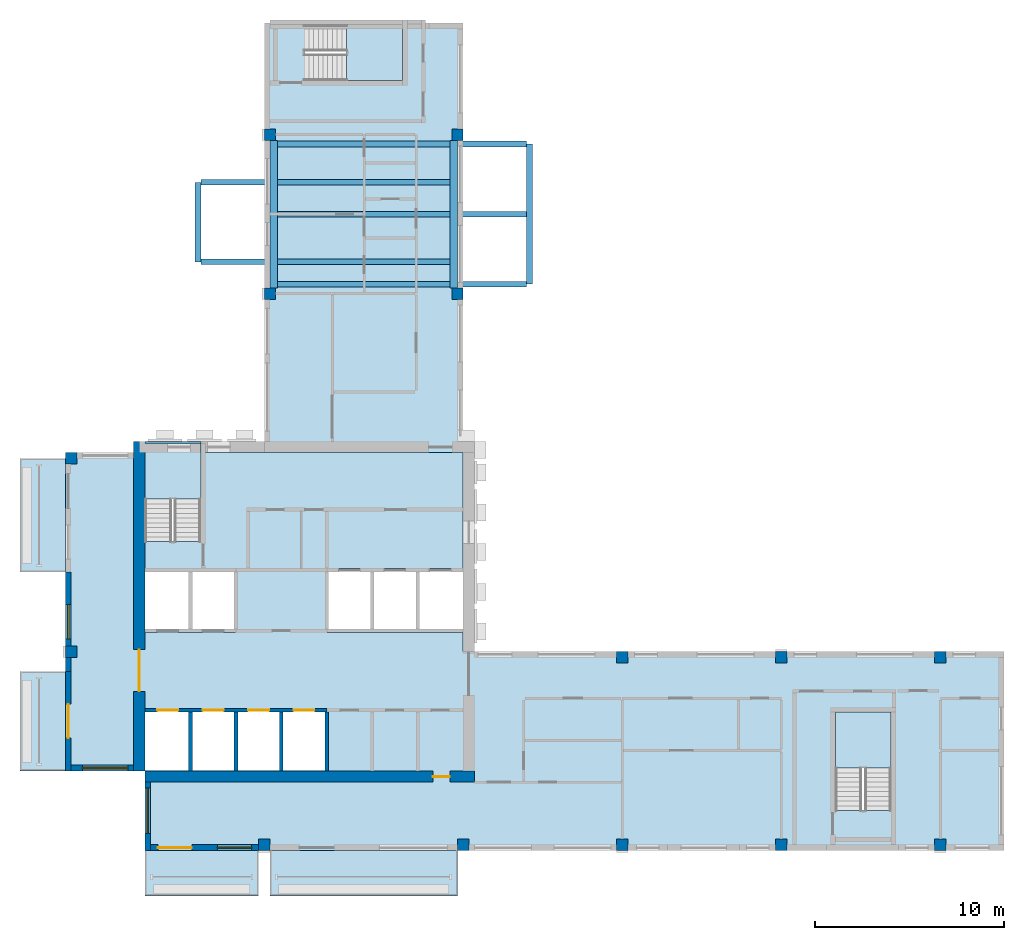
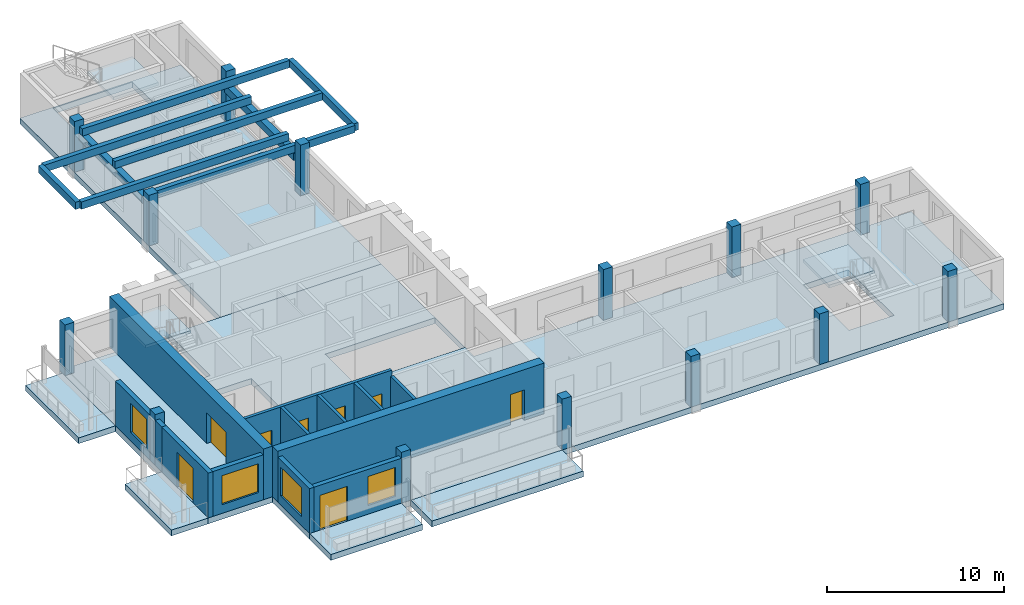
# One storey, part 1 of 10: 14 columns, 13 walls, 10 slabs, 9 beams, 8 doors, 4 windows, 12 openings, 3 elements without a shape of their own.
"""IFC4 building model written with IfcOpenShell, lengths in metres."""

from ifc_helpers import new_model, si_unit, direction, frame, frame_2d, origin, origin_2d, place, context, subcontext, project, spatial, polyline, rectangle, outline, extrude, source, transform, mapped, material, layer, layer_set, material_profile, profile_set, type_object, element, fill, aggregate, save


model = new_model("IFC4")

# Units and contexts
model_context = context("Model", 3, precision=1e-05, world=origin(), true_north=direction((0.0, 1.0)))
body_context = subcontext(model_context, "Body", "Model", "MODEL_VIEW")
ifc_project = project(units=[si_unit("LENGTHUNIT", "METRE"), si_unit("AREAUNIT", "SQUARE_METRE"), si_unit("VOLUMEUNIT", "CUBIC_METRE"), si_unit("PLANEANGLEUNIT", "RADIAN"), si_unit("MASSUNIT", "GRAM", prefix="KILO")], contexts=[model_context])

# Site, building, storey
site_placement = place(None, origin())
site = spatial("IfcSite", under=ifc_project, at=site_placement, CompositionType="ELEMENT")
building_placement = place(site_placement, origin())
building = spatial("IfcBuilding", under=site, at=building_placement, Name="Aurelian Terraces", CompositionType="ELEMENT")
storey_placement = place(building_placement, frame((0.0, 0.0, 326.5)))
storey = spatial("IfcBuildingStorey", under=building, at=storey_placement, Name="L76", CompositionType="ELEMENT", Elevation=326.5)

# Columns
ifc_material_1 = material(Name="Concrete fc' 55 MPa", Category="concrete")
ifc_material_profile_1 = material_profile(ifc_material_1, rectangle(XDim=0.6, YDim=0.6, at=origin_2d()))
ifc_profile_set_1 = profile_set([ifc_material_profile_1], Name="Concrete fc' 55 MPa")
column_type = type_object("IfcColumnType", Name="RC COLUMN 600X600 FC55", PredefinedType="COLUMN", material=ifc_profile_set_1)
column_placement = place(storey_placement, frame((10.5, 0.3, 0.0), z_axis=(0.0, 0.0, 1.0), x_axis=(1.0, 0.0, 0.0)))
element("IfcColumn", 1, at=column_placement, inside=storey, type_object=column_type, Name="Column 2/A L76", PredefinedType="COLUMN", context=body_context, shape_type="SweptSolid", body=[
    extrude(rectangle(XDim=0.6, YDim=0.6, at=origin_2d()), origin(), (0.0, 0.0, 1.0), 3.5),
])
shared_shape_1 = source(origin(), body_context, "Body", "SweptSolid", [
    extrude(rectangle(XDim=0.6, YDim=0.6, at=origin_2d()), origin(), (0.0, 0.0, 1.0), 3.5),
])
for number, where, z_axis, x_axis, name in (
    (2, (21.0, 0.3, 0.0), (0.0, 0.0, 1.0), (1.0, 0.0, 0.0), "Column 3/A L76"),
    (3, (29.4, 0.3, 0.0), (0.0, 0.0, 1.0), (1.0, 0.0, 0.0), "Column 4/A L76"),
    (4, (37.8, 0.3, 0.0), (0.0, 0.0, 1.0), (1.0, 0.0, 0.0), "Column 5/A L76"),
    (5, (46.2, 0.3, 0.0), (0.0, 0.0, 1.0), (1.0, 0.0, 0.0), "Column 6/A L76"),
    (6, (0.3, 10.5, 0.0), (0.0, 0.0, 1.0), (1.0, 0.0, 0.0), "Column 1/B L76"),
    (7, (29.4, 10.2, 0.0), (0.0, 0.0, 1.0), (1.0, 0.0, 0.0), "Column 4/B L76"),
    (8, (37.8, 10.2, 0.0), (0.0, 0.0, 1.0), (1.0, 0.0, 0.0), "Column 5/B L76"),
    (9, (46.2, 10.2, 0.0), (0.0, 0.0, 1.0), (1.0, 0.0, 0.0), "Column 6/B L76"),
    (10, (0.3, 20.7, 0.0), (0.0, 0.0, 1.0), (1.0, 0.0, 0.0), "Column 1/C L76"),
    (11, (10.8, 29.4, 0.0), (0.0, 0.0, 1.0), (1.0, 0.0, 0.0), "Column 2/D L76"),
    (12, (20.7, 29.4, 0.0), (0.0, 0.0, 1.0), (1.0, 0.0, 0.0), "Column 3/D L76"),
    (13, (10.8, 37.8, 0.0), (0.0, 0.0, 1.0), (1.0, 0.0, 0.0), "Column 2/E L76"),
    (14, (20.7, 37.8, 0.0), (0.0, 0.0, 1.0), (1.0, 0.0, 0.0), "Column 3/E L76"),
):
    element("IfcColumn", number, at=place(storey_placement, frame(where, z_axis=z_axis, x_axis=x_axis)), inside=storey, type_object=column_type, Name=name, PredefinedType="COLUMN", context=body_context, shape_type="MappedRepresentation", body=[
        mapped(shared_shape_1, transform((0.0, 0.0, 0.0), scale=1.0)),
    ])

# Beams
ifc_material_2 = material(Name="Concrete fc' 40 MPa", Category="concrete")
ifc_material_profile_2 = material_profile(ifc_material_2, rectangle(XDim=0.3, YDim=0.5, at=origin_2d()))
ifc_profile_set_2 = profile_set([ifc_material_profile_2], Name="Concrete fc' 40 MPa")
beam_type_1 = type_object("IfcBeamType", Name="CONCRETE CANTILEVER BEAM 300X500", PredefinedType="BEAM", material=ifc_profile_set_2)
beam_1_placement = place(storey_placement, frame((24.5, 29.9, 2.85), z_axis=(0.0, 1.0, 0.0), x_axis=(-1.0, 0.0, 0.0)))
element("IfcBeam", 15, at=beam_1_placement, inside=storey, type_object=beam_type_1, Name="Box tip beam J91", PredefinedType="BEAM", context=body_context, shape_type="SweptSolid", body=[
    extrude(rectangle(XDim=0.3, YDim=0.5, at=origin_2d()), origin(), (0.0, 0.0, 1.0), 7.4),
])
ifc_material_profile_3 = material_profile(ifc_material_2, rectangle(XDim=0.4, YDim=0.5, at=origin_2d()))
ifc_profile_set_3 = profile_set([ifc_material_profile_3], Name="Concrete fc' 40 MPa")
beam_type_2 = type_object("IfcBeamType", Name="CONCRETE EDGE GIRDER 400X500", PredefinedType="BEAM", material=ifc_profile_set_3)
beam_2_placement = place(storey_placement, frame((20.5, 29.7, 2.35), z_axis=(0.0, 1.0, 0.0), x_axis=(-1.0, 0.0, 0.0)))
element("IfcBeam", 16, at=beam_2_placement, inside=storey, type_object=beam_type_2, Name="Box girder L76 O177", PredefinedType="BEAM", context=body_context, shape_type="SweptSolid", body=[
    extrude(rectangle(XDim=0.4, YDim=0.5, at=origin_2d()), origin(), (0.0, 0.0, 1.0), 7.8),
])
shared_shape_2 = source(origin(), body_context, "Body", "SweptSolid", [
    extrude(rectangle(XDim=0.3, YDim=0.5, at=origin_2d()), origin(), (0.0, 0.0, 1.0), 13.55),
])
for number, where, z_axis, x_axis, name in (
    (17, (24.35, 29.9, 2.85), (-1.0, 0.0, 0.0), (0.0, -1.0, 0.0), "Box cantilever beam J91.1"),
    (18, (24.35, 37.3, 2.85), (-1.0, 0.0, 0.0), (0.0, -1.0, 0.0), "Box cantilever beam J91.2"),
    (19, (24.35, 33.6, 2.85), (-1.0, 0.0, 0.0), (0.0, -1.0, 0.0), "Box cantilever beam J91.m1"),
    (20, (7.15, 31.08, 2.85), (1.0, 0.0, 0.0), (0.0, 1.0, 0.0), "Box cantilever beam J92.1"),
    (21, (7.15, 35.28, 2.85), (1.0, 0.0, 0.0), (0.0, 1.0, 0.0), "Box cantilever beam J92.2"),
):
    element("IfcBeam", number, at=place(storey_placement, frame(where, z_axis=z_axis, x_axis=x_axis)), inside=storey, type_object=beam_type_1, Name=name, PredefinedType="BEAM", context=body_context, shape_type="MappedRepresentation", body=[
        mapped(shared_shape_2, transform((0.0, 0.0, 0.0), scale=1.0)),
    ])
shared_shape_3 = source(origin(), body_context, "Body", "SweptSolid", [
    extrude(rectangle(XDim=0.3, YDim=0.5, at=origin_2d()), origin(), (0.0, 0.0, 1.0), 4.2),
])
beam_3_placement = place(storey_placement, frame((7.0, 31.08, 2.85), z_axis=(0.0, 1.0, 0.0), x_axis=(-1.0, 0.0, 0.0)))
element("IfcBeam", 22, at=beam_3_placement, inside=storey, type_object=beam_type_1, Name="Box tip beam J92", PredefinedType="BEAM", context=body_context, shape_type="MappedRepresentation", body=[
    mapped(shared_shape_3, transform((0.0, 0.0, 0.0), scale=1.0)),
])
shared_shape_4 = source(origin(), body_context, "Body", "SweptSolid", [
    extrude(rectangle(XDim=0.4, YDim=0.5, at=origin_2d()), origin(), (0.0, 0.0, 1.0), 7.8),
])
beam_4_placement = place(storey_placement, frame((11.0, 29.7, 2.35), z_axis=(0.0, 1.0, 0.0), x_axis=(-1.0, 0.0, 0.0)))
element("IfcBeam", 23, at=beam_4_placement, inside=storey, type_object=beam_type_2, Name="Box girder L76 I178", PredefinedType="BEAM", context=body_context, shape_type="MappedRepresentation", body=[
    mapped(shared_shape_4, transform((0.0, 0.0, 0.0), scale=1.0)),
])

# Slabs
ifc_layer_1 = layer(ifc_material_2, 0.4)
ifc_layer_set_1 = layer_set([ifc_layer_1], Name="Balcony slab 400")
slab_type_1 = type_object("IfcSlabType", Name="Balcony slab 400", PredefinedType="NOTDEFINED", material=ifc_layer_set_1)
slab_1_placement = place(storey_placement, frame((0.0, 0.0, -0.4)))
element("IfcSlab", 24, at=slab_1_placement, inside=storey, type_object=slab_type_1, Name="Balcony slab L76 F01.1", PredefinedType="NOTDEFINED", context=body_context, shape_type="SweptSolid", body=[
    extrude(outline(polyline([(4.2, 0.0), (10.2, 0.0), (10.2, -2.4), (4.2, -2.4), (4.2, 0.0)])), origin(), (0.0, 0.0, 1.0), 0.4),
])
slab_2_placement = place(storey_placement, frame((0.0, 0.0, -0.4)))
element("IfcSlab", 25, at=slab_2_placement, inside=storey, type_object=slab_type_1, Name="Balcony slab L76 F01.2", PredefinedType="NOTDEFINED", context=body_context, shape_type="SweptSolid", body=[
    extrude(outline(polyline([(10.8, 0.0), (20.7, 0.0), (20.7, -2.4), (10.8, -2.4), (10.8, 0.0)])), origin(), (0.0, 0.0, 1.0), 0.4),
])
slab_3_placement = place(storey_placement, frame((0.0, 0.0, -0.4)))
element("IfcSlab", 26, at=slab_3_placement, inside=storey, type_object=slab_type_1, Name="Balcony slab L76 F12.20", PredefinedType="NOTDEFINED", context=body_context, shape_type="SweptSolid", body=[
    extrude(outline(polyline([(0.0, 20.7), (0.0, 14.7), (-2.4, 14.7), (-2.4, 20.7), (0.0, 20.7)])), origin(), (0.0, 0.0, 1.0), 0.4),
])
ifc_layer_2 = layer(ifc_material_2, 0.4)
ifc_layer_set_2 = layer_set([ifc_layer_2], Name="PT FLAT PLATE 400")
slab_type_2 = type_object("IfcSlabType", Name="PT FLAT PLATE 400", PredefinedType="FLOOR", material=ifc_layer_set_2)
shared_shape_5 = source(origin(), body_context, "Body", "SweptSolid", [
    extrude(outline(polyline([(10.5, 43.68), (14.7, 43.68), (16.8, 43.68), (21.0, 43.68), (21.0, 21.0), (10.5, 21.0), (10.5, 43.68)]), holes=[polyline([(17.79, 43.59), (12.61, 43.59), (12.61, 40.66), (17.79, 40.66), (17.79, 43.59)])]), origin(), (0.0, 0.0, 1.0), 0.4),
])
slab_4_placement = place(storey_placement, frame((0.0, 0.0, -0.4)))
element("IfcSlab", 27, at=slab_4_placement, inside=storey, type_object=slab_type_2, Name="Floor slab W L76", PredefinedType="FLOOR", context=body_context, shape_type="MappedRepresentation", body=[
    mapped(shared_shape_5, transform((0.0, 0.0, 0.0), scale=1.0)),
])
shared_shape_6 = source(origin(), body_context, "Body", "SweptSolid", [
    extrude(outline(polyline([(4.2, 21.0), (4.2, 21.6), (7.15, 21.6), (7.15, 21.0), (7.14, 21.0), (7.14, 21.49), (4.21, 21.49), (4.21, 21.0), (4.2, 21.0)])), origin(), (0.0, 0.0, 1.0), 0.4),
])
slab_5_placement = place(storey_placement, frame((0.0, 0.0, -0.4)))
element("IfcSlab", 28, at=slab_5_placement, inside=storey, type_object=slab_type_2, Name="Floor slab W2 L76", PredefinedType="FLOOR", context=body_context, shape_type="MappedRepresentation", body=[
    mapped(shared_shape_6, transform((0.0, 0.0, 0.0), scale=1.0)),
])
shared_shape_7 = source(origin(), body_context, "Body", "SweptSolid", [
    extrude(outline(polyline([(21.0, 0.0), (4.2, 0.0), (4.2, 4.2), (0.0, 4.2), (0.0, 10.5), (0.0, 21.0), (4.21, 21.0), (4.21, 16.31), (7.14, 16.31), (7.14, 21.0), (21.0, 21.0), (21.0, 10.5), (49.56, 10.5), (49.56, 6.3), (49.56, 4.2), (49.56, 0.0), (21.0, 0.0)]), holes=[polyline([(40.66, 2.11), (43.59, 2.11), (43.59, 7.29), (40.66, 7.29), (40.66, 2.11)]), polyline([(13.81, 14.89), (13.81, 11.51), (20.99, 11.51), (20.99, 14.89), (13.81, 14.89)]), polyline([(4.21, 7.49), (4.21, 4.21), (13.79, 4.21), (13.79, 7.49), (4.21, 7.49)]), polyline([(8.99, 11.51), (8.99, 14.89), (4.21, 14.89), (4.21, 11.51), (8.99, 11.51)])]), origin(), (0.0, 0.0, 1.0), 0.4),
])
slab_6_placement = place(storey_placement, frame((0.0, 0.0, -0.4)))
element("IfcSlab", 29, at=slab_6_placement, inside=storey, type_object=slab_type_2, Name="Floor slab S L76", PredefinedType="FLOOR", context=body_context, shape_type="MappedRepresentation", body=[
    mapped(shared_shape_7, transform((0.0, 0.0, 0.0), scale=1.0)),
])
shared_shape_8 = source(origin(), body_context, "Body", "SweptSolid", [
    extrude(outline(polyline([(0.0, 9.45), (0.0, 4.2), (-2.4, 4.2), (-2.4, 9.45), (0.0, 9.45)])), origin(), (0.0, 0.0, 1.0), 0.4),
])
slab_7_placement = place(storey_placement, frame((0.0, 0.0, -0.4)))
element("IfcSlab", 30, at=slab_7_placement, inside=storey, type_object=slab_type_1, Name="Balcony slab L76 F12.22", PredefinedType="NOTDEFINED", context=body_context, shape_type="MappedRepresentation", body=[
    mapped(shared_shape_8, transform((0.0, 0.0, 0.0), scale=1.0)),
])

# Stair, slab
stair_type = type_object("IfcStairType", Name="Stair 1400", PredefinedType="HALF_TURN_STAIR", material=ifc_material_2)
stair_1_placement = place(storey_placement, origin())
stair_1 = element("IfcStair", 31, at=stair_1_placement, inside=storey, type_object=stair_type, Name="L76 S1", PredefinedType="HALF_TURN_STAIR")
ifc_layer_3 = layer(ifc_material_2, 0.2)
ifc_layer_set_3 = layer_set([ifc_layer_3], Name="Stair landing 200")
slab_type_3 = type_object("IfcSlabType", Name="Stair landing 200", PredefinedType="LANDING", material=ifc_layer_set_3)
shared_shape_9 = source(origin(), body_context, "Body", "SweptSolid", [
    extrude(outline(polyline([(7.15, 18.55), (7.15, 21.5), (4.2, 21.5), (4.2, 18.55), (7.15, 18.55)])), origin(), (0.0, 0.0, 1.0), 0.2),
])
slab_8_placement = place(storey_placement, frame((0.0, 0.0, 1.55)))
slab_8 = element("IfcSlab", 32, at=slab_8_placement, type_object=slab_type_3, Name="S1 landing 1", PredefinedType="LANDING", context=body_context, shape_type="MappedRepresentation", body=[
    mapped(shared_shape_9, transform((0.0, 0.0, 0.0), scale=1.0)),
])
aggregate(stair_1, [slab_8])

stair_2_placement = place(storey_placement, origin())
stair_2 = element("IfcStair", 33, at=stair_2_placement, inside=storey, type_object=stair_type, Name="L76 S2", PredefinedType="HALF_TURN_STAIR")
shared_shape_10 = source(origin(), body_context, "Body", "SweptSolid", [
    extrude(outline(polyline([(43.6, 4.35), (43.6, 7.3), (40.65, 7.3), (40.65, 4.35), (43.6, 4.35)])), origin(), (0.0, 0.0, 1.0), 0.2),
])
slab_9_placement = place(storey_placement, frame((0.0, 0.0, 1.55)))
slab_9 = element("IfcSlab", 34, at=slab_9_placement, type_object=slab_type_3, Name="S2 landing 1", PredefinedType="LANDING", context=body_context, shape_type="MappedRepresentation", body=[
    mapped(shared_shape_10, transform((0.0, 0.0, 0.0), scale=1.0)),
])
aggregate(stair_2, [slab_9])

stair_3_placement = place(storey_placement, origin())
stair_3 = element("IfcStair", 35, at=stair_3_placement, inside=storey, type_object=stair_type, Name="L76 S3U", PredefinedType="HALF_TURN_STAIR")
shared_shape_11 = source(origin(), body_context, "Body", "SweptSolid", [
    extrude(outline(polyline([(14.85, 40.65), (17.8, 40.65), (17.8, 43.6), (14.85, 43.6), (14.85, 40.65)])), origin(), (0.0, 0.0, 1.0), 0.2),
])
slab_10_placement = place(storey_placement, frame((0.0, 0.0, 1.55)))
slab_10 = element("IfcSlab", 36, at=slab_10_placement, type_object=slab_type_3, Name="S3U landing 1", PredefinedType="LANDING", context=body_context, shape_type="MappedRepresentation", body=[
    mapped(shared_shape_11, transform((0.0, 0.0, 0.0), scale=1.0)),
])
aggregate(stair_3, [slab_10])

# Wall, openings, door, window
ifc_material_3 = material(Name="Terracotta rainscreen cladding", Category="masonry")
ifc_layer_4 = layer(ifc_material_3, 0.3)
ifc_layer_set_4 = layer_set([ifc_layer_4], Name="EW-300")
wall_type_1 = type_object("IfcWallType", Name="EW-300", PredefinedType="STANDARD", material=ifc_layer_set_4)
wall_1_placement = place(storey_placement, frame((4.2, 0.15, 0.0), z_axis=(0.0, 0.0, 1.0), x_axis=(1.0, 0.0, 0.0)))
wall_1 = element("IfcWall", 37, at=wall_1_placement, inside=storey, type_object=wall_type_1, Name="External wall L76 F01.1", PredefinedType="STANDARD", context=body_context, shape_type="SweptSolid", body=[
    extrude(rectangle(XDim=6.0, YDim=0.3, at=frame_2d((3.0, 0.0))), origin(), (0.0, 0.0, 1.0), 3.1),
])
shared_shape_12 = source(origin(), body_context, "Body", "SweptSolid", [
    extrude(rectangle(XDim=1.8, YDim=2.4, at=frame_2d((0.9, 1.2))), frame((0.0, 0.16, 0.0), z_axis=(0.0, -1.0, 0.0), x_axis=(1.0, 0.0, 0.0)), (0.0, 0.0, 1.0), 0.32),
])
opening_1_placement = place(wall_1_placement, frame((0.675, 0.0, 0.0)))
opening_1 = element("IfcOpeningElement", 38, at=opening_1_placement, cuts=wall_1, Name="Opening 87601", PredefinedType="OPENING", context=body_context, shape_type="MappedRepresentation", body=[
    mapped(shared_shape_12, transform((0.0, 0.0, 0.0), scale=1.0)),
])
shared_shape_13 = source(origin(), body_context, "Body", "SweptSolid", [
    extrude(rectangle(XDim=1.8, YDim=2.0, at=frame_2d((0.9, 1.0))), frame((0.0, 0.16, 0.0), z_axis=(0.0, -1.0, 0.0), x_axis=(1.0, 0.0, 0.0)), (0.0, 0.0, 1.0), 0.32),
])
opening_2_placement = place(wall_1_placement, frame((3.825, 0.0, 0.6)))
opening_2 = element("IfcOpeningElement", 39, at=opening_2_placement, cuts=wall_1, Name="Opening W1820", PredefinedType="OPENING", context=body_context, shape_type="MappedRepresentation", body=[
    mapped(shared_shape_13, transform((0.0, 0.0, 0.0), scale=1.0)),
])
ifc_material_4 = material(Name="Clear glazing", Category="glass")
door_type_1 = type_object("IfcDoorType", Name="BD-1800x2400", OperationType="SLIDING_TO_LEFT", PredefinedType="DOOR", material=ifc_material_4)
shared_shape_14 = source(origin(), body_context, "Body", "SweptSolid", [
    extrude(rectangle(XDim=1.8, YDim=2.4, at=frame_2d((0.9, 1.2))), frame((0.0, 0.025, 0.0), z_axis=(0.0, -1.0, 0.0), x_axis=(1.0, 0.0, 0.0)), (0.0, 0.0, 1.0), 0.05),
])
door_1_placement = place(opening_1_placement, origin())
door_1 = element("IfcDoor", 40, at=door_1_placement, inside=storey, type_object=door_type_1, Name="Balcony door L76 F01.1", OperationType="SLIDING_TO_LEFT", OverallHeight=2.4, OverallWidth=1.8, PredefinedType="DOOR", context=body_context, shape_type="MappedRepresentation", body=[
    mapped(shared_shape_14, transform((0.0, 0.0, 0.0), scale=1.0)),
])
fill(opening_1, door_1)
window_type_1 = type_object("IfcWindowType", Name="W-1800x2000", PartitioningType="SINGLE_PANEL", PredefinedType="WINDOW", material=ifc_material_4)
shared_shape_15 = source(origin(), body_context, "Body", "SweptSolid", [
    extrude(rectangle(XDim=1.8, YDim=2.0, at=frame_2d((0.9, 1.0))), frame((0.0, 0.03, 0.0), z_axis=(0.0, -1.0, 0.0), x_axis=(1.0, 0.0, 0.0)), (0.0, 0.0, 1.0), 0.06),
])
window_1_placement = place(opening_2_placement, origin())
window_1 = element("IfcWindow", 41, at=window_1_placement, inside=storey, type_object=window_type_1, Name="Window L76 L76-F01-01-1", OverallHeight=2.0, OverallWidth=1.8, PartitioningType="SINGLE_PANEL", PredefinedType="WINDOW", context=body_context, shape_type="MappedRepresentation", body=[
    mapped(shared_shape_15, transform((0.0, 0.0, 0.0), scale=1.0)),
])
fill(opening_2, window_1)

# Wall, opening, window
wall_2_placement = place(storey_placement, frame((0.15, 14.7, 0.0), z_axis=(0.0, 0.0, 1.0), x_axis=(0.0, -1.0, 0.0)))
wall_2 = element("IfcWall", 42, at=wall_2_placement, inside=storey, type_object=wall_type_1, Name="External wall L76 F12.21", PredefinedType="STANDARD", context=body_context, shape_type="SweptSolid", body=[
    extrude(rectangle(XDim=3.9, YDim=0.3, at=frame_2d((1.95, 0.0))), origin(), (0.0, 0.0, 1.0), 3.1),
])
opening_3_placement = place(wall_2_placement, frame((1.725, 0.0, 0.6)))
opening_3 = element("IfcOpeningElement", 43, at=opening_3_placement, cuts=wall_2, Name="Opening W1820", PredefinedType="OPENING", context=body_context, shape_type="MappedRepresentation", body=[
    mapped(shared_shape_13, transform((0.0, 0.0, 0.0), scale=1.0)),
])
window_2_placement = place(opening_3_placement, origin())
window_2 = element("IfcWindow", 44, at=window_2_placement, inside=storey, type_object=window_type_1, Name="Window L76 L76-F12-21-0", OverallHeight=2.0, OverallWidth=1.8, PartitioningType="SINGLE_PANEL", PredefinedType="WINDOW", context=body_context, shape_type="MappedRepresentation", body=[
    mapped(shared_shape_15, transform((0.0, 0.0, 0.0), scale=1.0)),
])
fill(opening_3, window_2)

# Wall
wall_3_placement = place(storey_placement, frame((0.15, 10.2, 0.0), z_axis=(0.0, 0.0, 1.0), x_axis=(0.0, -1.0, 0.0)))
element("IfcWall", 45, at=wall_3_placement, inside=storey, type_object=wall_type_1, Name="External wall L76 F12.21", PredefinedType="STANDARD", context=body_context, shape_type="SweptSolid", body=[
    extrude(rectangle(XDim=0.75, YDim=0.3, at=frame_2d((0.375, 0.0))), origin(), (0.0, 0.0, 1.0), 3.1),
])

# Wall, opening, door
ifc_layer_5 = layer(ifc_material_1, 0.6)
ifc_layer_set_5 = layer_set([ifc_layer_5], Name="CORE WALL 600 FC55")
wall_type_2 = type_object("IfcWallType", Name="CORE WALL 600 FC55", PredefinedType="SHEAR", material=ifc_layer_set_5)
shared_shape_16 = source(origin(), body_context, "Body", "SweptSolid", [
    extrude(rectangle(XDim=17.4, YDim=0.6, at=frame_2d((8.7, 0.0))), origin(), (0.0, 0.0, 1.0), 3.5),
])
wall_4_placement = place(storey_placement, frame((3.9, 4.2, 0.0), z_axis=(0.0, 0.0, 1.0), x_axis=(0.0, 1.0, 0.0)))
wall_4 = element("IfcWall", 46, at=wall_4_placement, inside=storey, type_object=wall_type_2, Name="Core wall W L76", PredefinedType="SHEAR", context=body_context, shape_type="MappedRepresentation", body=[
    mapped(shared_shape_16, transform((0.0, 0.0, 0.0), scale=1.0)),
])
shared_shape_17 = source(origin(), body_context, "Body", "SweptSolid", [
    extrude(rectangle(XDim=2.2, YDim=2.1, at=frame_2d((1.1, 1.05))), frame((0.0, 0.31, 0.0), z_axis=(0.0, -1.0, 0.0), x_axis=(1.0, 0.0, 0.0)), (0.0, 0.0, 1.0), 0.62),
])
opening_4_placement = place(wall_4_placement, frame((4.2, 0.0, 0.0)))
opening_4 = element("IfcOpeningElement", 47, at=opening_4_placement, cuts=wall_4, Name="Opening 67924", PredefinedType="OPENING", context=body_context, shape_type="MappedRepresentation", body=[
    mapped(shared_shape_17, transform((0.0, 0.0, 0.0), scale=1.0)),
])
ifc_material_5 = material(Name="Steel door leaf", Category="steel")
door_type_2 = type_object("IfcDoorType", Name="Core double door 2200x2100", OperationType="DOUBLE_DOOR_SINGLE_SWING", PredefinedType="DOOR", material=ifc_material_5)
shared_shape_18 = source(origin(), body_context, "Body", "SweptSolid", [
    extrude(rectangle(XDim=2.2, YDim=2.1, at=frame_2d((1.1, 1.05))), frame((0.0, 0.025, 0.0), z_axis=(0.0, -1.0, 0.0), x_axis=(1.0, 0.0, 0.0)), (0.0, 0.0, 1.0), 0.05),
])
door_2_placement = place(opening_4_placement, origin())
door_2 = element("IfcDoor", 48, at=door_2_placement, inside=storey, type_object=door_type_2, Name="Core door 67924", OperationType="DOUBLE_DOOR_SINGLE_SWING", OverallHeight=2.1, OverallWidth=2.2, PredefinedType="DOOR", context=body_context, shape_type="MappedRepresentation", body=[
    mapped(shared_shape_18, transform((0.0, 0.0, 0.0), scale=1.0)),
])
fill(opening_4, door_2)

wall_5_placement = place(storey_placement, frame((4.2, 3.9, 0.0), z_axis=(0.0, 0.0, 1.0), x_axis=(1.0, 0.0, 0.0)))
wall_5 = element("IfcWall", 49, at=wall_5_placement, inside=storey, type_object=wall_type_2, Name="Core wall S L76", PredefinedType="SHEAR", context=body_context, shape_type="MappedRepresentation", body=[
    mapped(shared_shape_16, transform((0.0, 0.0, 0.0), scale=1.0)),
])
shared_shape_19 = source(origin(), body_context, "Body", "SweptSolid", [
    extrude(rectangle(XDim=0.9, YDim=2.1, at=frame_2d((0.45, 1.05))), frame((0.0, 0.31, 0.0), z_axis=(0.0, -1.0, 0.0), x_axis=(1.0, 0.0, 0.0)), (0.0, 0.0, 1.0), 0.62),
])
opening_5_placement = place(wall_5_placement, frame((15.2, 0.0, 0.0)))
opening_5 = element("IfcOpeningElement", 50, at=opening_5_placement, cuts=wall_5, Name="Opening 67926", PredefinedType="OPENING", context=body_context, shape_type="MappedRepresentation", body=[
    mapped(shared_shape_19, transform((0.0, 0.0, 0.0), scale=1.0)),
])
door_type_3 = type_object("IfcDoorType", Name="Core service door 900x2100", OperationType="SINGLE_SWING_LEFT", PredefinedType="DOOR", material=ifc_material_5)
shared_shape_20 = source(origin(), body_context, "Body", "SweptSolid", [
    extrude(rectangle(XDim=0.9, YDim=2.1, at=frame_2d((0.45, 1.05))), frame((0.0, 0.025, 0.0), z_axis=(0.0, -1.0, 0.0), x_axis=(1.0, 0.0, 0.0)), (0.0, 0.0, 1.0), 0.05),
])
door_3_placement = place(opening_5_placement, origin())
door_3 = element("IfcDoor", 51, at=door_3_placement, inside=storey, type_object=door_type_3, Name="Core door 67926", OperationType="SINGLE_SWING_LEFT", OverallHeight=2.1, OverallWidth=0.9, PredefinedType="DOOR", context=body_context, shape_type="MappedRepresentation", body=[
    mapped(shared_shape_20, transform((0.0, 0.0, 0.0), scale=1.0)),
])
fill(opening_5, door_3)

# Wall, opening, window
shared_shape_21 = source(origin(), body_context, "Body", "SweptSolid", [
    extrude(rectangle(XDim=3.6, YDim=0.3, at=frame_2d((1.8, 0.0))), origin(), (0.0, 0.0, 1.0), 3.1),
])
wall_6_placement = place(storey_placement, frame((0.0, 4.35, 0.0), z_axis=(0.0, 0.0, 1.0), x_axis=(1.0, 0.0, 0.0)))
wall_6 = element("IfcWall", 52, at=wall_6_placement, inside=storey, type_object=wall_type_1, Name="External wall L76 F13.23", PredefinedType="STANDARD", context=body_context, shape_type="MappedRepresentation", body=[
    mapped(shared_shape_21, transform((0.0, 0.0, 0.0), scale=1.0)),
])
shared_shape_22 = source(origin(), body_context, "Body", "SweptSolid", [
    extrude(rectangle(XDim=2.4, YDim=2.0, at=frame_2d((1.2, 1.0))), frame((0.0, 0.16, 0.0), z_axis=(0.0, -1.0, 0.0), x_axis=(1.0, 0.0, 0.0)), (0.0, 0.0, 1.0), 0.32),
])
opening_6_placement = place(wall_6_placement, frame((0.9, 0.0, 0.6)))
opening_6 = element("IfcOpeningElement", 53, at=opening_6_placement, cuts=wall_6, Name="Opening W2420", PredefinedType="OPENING", context=body_context, shape_type="MappedRepresentation", body=[
    mapped(shared_shape_22, transform((0.0, 0.0, 0.0), scale=1.0)),
])
window_type_2 = type_object("IfcWindowType", Name="W-2400x2000", PartitioningType="SINGLE_PANEL", PredefinedType="WINDOW", material=ifc_material_4)
shared_shape_23 = source(origin(), body_context, "Body", "SweptSolid", [
    extrude(rectangle(XDim=2.4, YDim=2.0, at=frame_2d((1.2, 1.0))), frame((0.0, 0.03, 0.0), z_axis=(0.0, -1.0, 0.0), x_axis=(1.0, 0.0, 0.0)), (0.0, 0.0, 1.0), 0.06),
])
window_3_placement = place(opening_6_placement, origin())
window_3 = element("IfcWindow", 54, at=window_3_placement, inside=storey, type_object=window_type_2, Name="Window L76 L76-F13-23-0", OverallHeight=2.0, OverallWidth=2.4, PartitioningType="SINGLE_PANEL", PredefinedType="WINDOW", context=body_context, shape_type="MappedRepresentation", body=[
    mapped(shared_shape_23, transform((0.0, 0.0, 0.0), scale=1.0)),
])
fill(opening_6, window_3)

wall_7_placement = place(storey_placement, frame((4.35, 3.6, 0.0), z_axis=(0.0, 0.0, 1.0), x_axis=(0.0, -1.0, 0.0)))
wall_7 = element("IfcWall", 55, at=wall_7_placement, inside=storey, type_object=wall_type_1, Name="External wall L76 F14.24", PredefinedType="STANDARD", context=body_context, shape_type="MappedRepresentation", body=[
    mapped(shared_shape_21, transform((0.0, 0.0, 0.0), scale=1.0)),
])
opening_7_placement = place(wall_7_placement, frame((0.3, 0.0, 0.6)))
opening_7 = element("IfcOpeningElement", 56, at=opening_7_placement, cuts=wall_7, Name="Opening W2420", PredefinedType="OPENING", context=body_context, shape_type="MappedRepresentation", body=[
    mapped(shared_shape_22, transform((0.0, 0.0, 0.0), scale=1.0)),
])
window_4_placement = place(opening_7_placement, origin())
window_4 = element("IfcWindow", 57, at=window_4_placement, inside=storey, type_object=window_type_2, Name="Window L76 L76-F14-24-0", OverallHeight=2.0, OverallWidth=2.4, PartitioningType="SINGLE_PANEL", PredefinedType="WINDOW", context=body_context, shape_type="MappedRepresentation", body=[
    mapped(shared_shape_23, transform((0.0, 0.0, 0.0), scale=1.0)),
])
fill(opening_7, window_4)

# Wall, opening, door
shared_shape_24 = source(origin(), body_context, "Body", "SweptSolid", [
    extrude(rectangle(XDim=5.25, YDim=0.3, at=frame_2d((2.625, 0.0))), origin(), (0.0, 0.0, 1.0), 3.1),
])
wall_8_placement = place(storey_placement, frame((0.15, 9.45, 0.0), z_axis=(0.0, 0.0, 1.0), x_axis=(0.0, -1.0, 0.0)))
wall_8 = element("IfcWall", 58, at=wall_8_placement, inside=storey, type_object=wall_type_1, Name="External wall L76 F12.22", PredefinedType="STANDARD", context=body_context, shape_type="MappedRepresentation", body=[
    mapped(shared_shape_24, transform((0.0, 0.0, 0.0), scale=1.0)),
])
opening_8_placement = place(wall_8_placement, frame((1.725, 0.0, 0.0)))
opening_8 = element("IfcOpeningElement", 59, at=opening_8_placement, cuts=wall_8, Name="Opening 87604", PredefinedType="OPENING", context=body_context, shape_type="MappedRepresentation", body=[
    mapped(shared_shape_12, transform((0.0, 0.0, 0.0), scale=1.0)),
])
door_4_placement = place(opening_8_placement, origin())
door_4 = element("IfcDoor", 60, at=door_4_placement, inside=storey, type_object=door_type_1, Name="Balcony door L76 F12.22", OperationType="SLIDING_TO_LEFT", OverallHeight=2.4, OverallWidth=1.8, PredefinedType="DOOR", context=body_context, shape_type="MappedRepresentation", body=[
    mapped(shared_shape_14, transform((0.0, 0.0, 0.0), scale=1.0)),
])
fill(opening_8, door_4)

# Walls
ifc_layer_6 = layer(ifc_material_2, 0.2)
ifc_layer_set_6 = layer_set([ifc_layer_6], Name="Lift shaft wall 200")
wall_type_3 = type_object("IfcWallType", Name="Lift shaft wall 200", PredefinedType="SOLIDWALL", material=ifc_layer_set_6)
shared_shape_25 = source(origin(), body_context, "Body", "SweptSolid", [
    extrude(rectangle(XDim=3.1, YDim=0.2, at=frame_2d((1.55, 0.0))), origin(), (0.0, 0.0, 1.0), 3.5),
])
for number, where, z_axis, x_axis, name in (
    (61, (6.6, 4.2, 0.0), (0.0, 0.0, 1.0), (0.0, 1.0, 0.0), "L76 core wall CD-A1"),
    (62, (9.0, 4.2, 0.0), (0.0, 0.0, 1.0), (0.0, 1.0, 0.0), "L76 core wall CD-A2"),
    (63, (11.4, 4.2, 0.0), (0.0, 0.0, 1.0), (0.0, 1.0, 0.0), "L76 core wall CD-A3"),
):
    element("IfcWall", number, at=place(storey_placement, frame(where, z_axis=z_axis, x_axis=x_axis)), inside=storey, type_object=wall_type_3, Name=name, PredefinedType="SOLIDWALL", context=body_context, shape_type="MappedRepresentation", body=[
        mapped(shared_shape_25, transform((0.0, 0.0, 0.0), scale=1.0)),
    ])
shared_shape_26 = source(origin(), body_context, "Body", "SweptSolid", [
    extrude(rectangle(XDim=3.1, YDim=0.2, at=frame_2d((1.55, 0.0))), origin(), (0.0, 0.0, 1.0), 3.1),
])
wall_9_placement = place(storey_placement, frame((13.8, 4.2, 0.0), z_axis=(0.0, 0.0, 1.0), x_axis=(0.0, 1.0, 0.0)))
element("IfcWall", 64, at=wall_9_placement, inside=storey, type_object=wall_type_3, Name="L76 core wall CD-A4", PredefinedType="SOLIDWALL", context=body_context, shape_type="MappedRepresentation", body=[
    mapped(shared_shape_26, transform((0.0, 0.0, 0.0), scale=1.0)),
])

# Wall, openings, doors
shared_shape_27 = source(origin(), body_context, "Body", "SweptSolid", [
    extrude(rectangle(XDim=9.6, YDim=0.2, at=frame_2d((4.8, 0.0))), origin(), (0.0, 0.0, 1.0), 3.5),
])
wall_10_placement = place(storey_placement, frame((4.2, 7.4, 0.0), z_axis=(0.0, 0.0, 1.0), x_axis=(1.0, 0.0, 0.0)))
wall_10 = element("IfcWall", 65, at=wall_10_placement, inside=storey, type_object=wall_type_3, Name="L76 core wall CF-AF1", PredefinedType="SOLIDWALL", context=body_context, shape_type="MappedRepresentation", body=[
    mapped(shared_shape_27, transform((0.0, 0.0, 0.0), scale=1.0)),
])
shared_shape_28 = source(origin(), body_context, "Body", "SweptSolid", [
    extrude(rectangle(XDim=1.1, YDim=2.1, at=frame_2d((0.55, 1.05))), frame((0.0, 0.11, 0.0), z_axis=(0.0, -1.0, 0.0), x_axis=(1.0, 0.0, 0.0)), (0.0, 0.0, 1.0), 0.22),
])
opening_9_placement = place(wall_10_placement, frame((0.65, 0.0, 0.0)))
opening_9 = element("IfcOpeningElement", 66, at=opening_9_placement, cuts=wall_10, Name="Opening 67900", PredefinedType="OPENING", context=body_context, shape_type="MappedRepresentation", body=[
    mapped(shared_shape_28, transform((0.0, 0.0, 0.0), scale=1.0)),
])
opening_10_placement = place(wall_10_placement, frame((3.05, 0.0, 0.0)))
opening_10 = element("IfcOpeningElement", 67, at=opening_10_placement, cuts=wall_10, Name="Opening 67901", PredefinedType="OPENING", context=body_context, shape_type="MappedRepresentation", body=[
    mapped(shared_shape_28, transform((0.0, 0.0, 0.0), scale=1.0)),
])
opening_11_placement = place(wall_10_placement, frame((5.45, 0.0, 0.0)))
opening_11 = element("IfcOpeningElement", 68, at=opening_11_placement, cuts=wall_10, Name="Opening 67902", PredefinedType="OPENING", context=body_context, shape_type="MappedRepresentation", body=[
    mapped(shared_shape_28, transform((0.0, 0.0, 0.0), scale=1.0)),
])
opening_12_placement = place(wall_10_placement, frame((7.85, 0.0, 0.0)))
opening_12 = element("IfcOpeningElement", 69, at=opening_12_placement, cuts=wall_10, Name="Opening 67903", PredefinedType="OPENING", context=body_context, shape_type="MappedRepresentation", body=[
    mapped(shared_shape_28, transform((0.0, 0.0, 0.0), scale=1.0)),
])
ifc_material_6 = material(Name="Stainless steel", Category="steel")
door_type_4 = type_object("IfcDoorType", Name="Lift landing door 1100x2100", OperationType="SLIDING_TO_LEFT", PredefinedType="DOOR", material=ifc_material_6)
shared_shape_29 = source(origin(), body_context, "Body", "SweptSolid", [
    extrude(rectangle(XDim=1.1, YDim=2.1, at=frame_2d((0.55, 1.05))), frame((0.0, 0.025, 0.0), z_axis=(0.0, -1.0, 0.0), x_axis=(1.0, 0.0, 0.0)), (0.0, 0.0, 1.0), 0.05),
])
door_5_placement = place(opening_9_placement, origin())
door_5 = element("IfcDoor", 70, at=door_5_placement, inside=storey, type_object=door_type_4, Name="Lift landing door LH1 L76", OperationType="SLIDING_TO_LEFT", OverallHeight=2.1, OverallWidth=1.1, PredefinedType="DOOR", context=body_context, shape_type="MappedRepresentation", body=[
    mapped(shared_shape_29, transform((0.0, 0.0, 0.0), scale=1.0)),
])
fill(opening_9, door_5)
door_6_placement = place(opening_10_placement, origin())
door_6 = element("IfcDoor", 71, at=door_6_placement, inside=storey, type_object=door_type_4, Name="Lift landing door LH2 L76", OperationType="SLIDING_TO_LEFT", OverallHeight=2.1, OverallWidth=1.1, PredefinedType="DOOR", context=body_context, shape_type="MappedRepresentation", body=[
    mapped(shared_shape_29, transform((0.0, 0.0, 0.0), scale=1.0)),
])
fill(opening_10, door_6)
door_7_placement = place(opening_11_placement, origin())
door_7 = element("IfcDoor", 72, at=door_7_placement, inside=storey, type_object=door_type_4, Name="Lift landing door LH3 L76", OperationType="SLIDING_TO_LEFT", OverallHeight=2.1, OverallWidth=1.1, PredefinedType="DOOR", context=body_context, shape_type="MappedRepresentation", body=[
    mapped(shared_shape_29, transform((0.0, 0.0, 0.0), scale=1.0)),
])
fill(opening_11, door_7)
door_8_placement = place(opening_12_placement, origin())
door_8 = element("IfcDoor", 73, at=door_8_placement, inside=storey, type_object=door_type_4, Name="Lift landing door LH4 L76", OperationType="SLIDING_TO_LEFT", OverallHeight=2.1, OverallWidth=1.1, PredefinedType="DOOR", context=body_context, shape_type="MappedRepresentation", body=[
    mapped(shared_shape_29, transform((0.0, 0.0, 0.0), scale=1.0)),
])
fill(opening_12, door_8)

save(model, "model.ifc")
